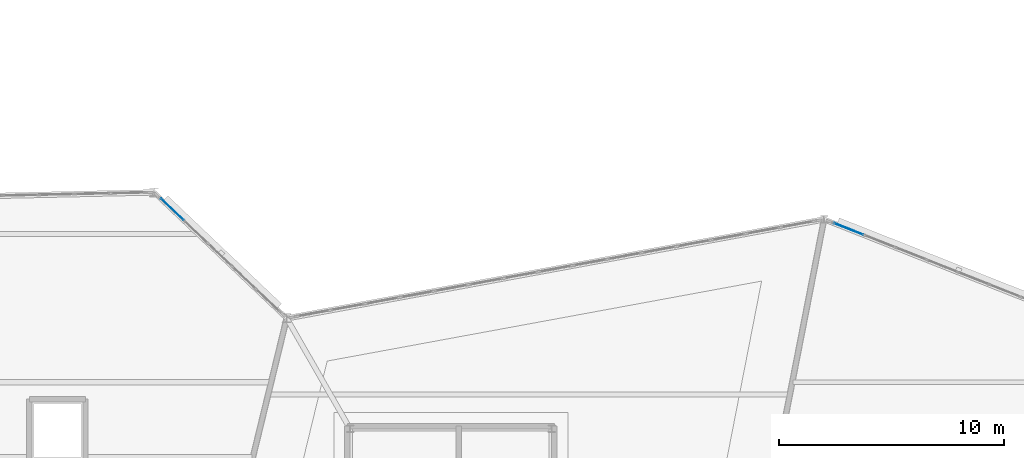
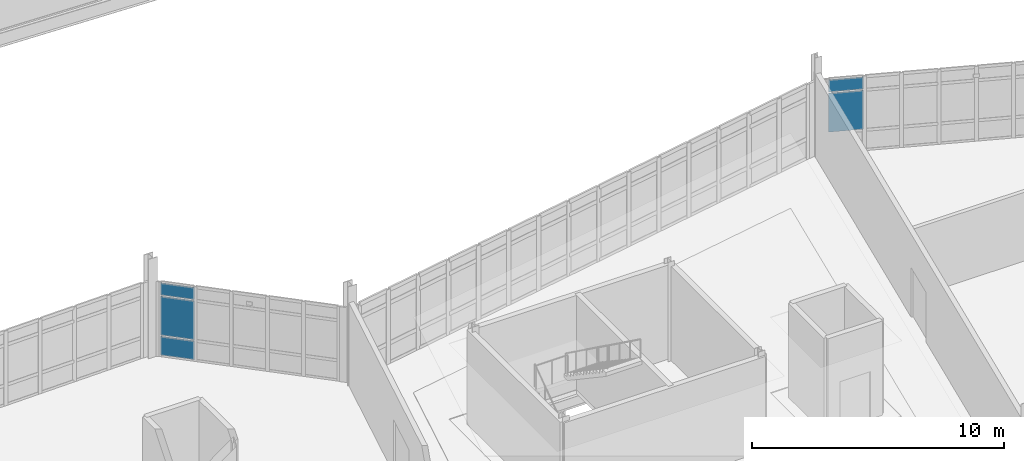
# One storey, part 91 of 134: 5 plates, 2 elements without a shape of their own.
"""IFC4 building model written with IfcOpenShell, lengths in metres."""

from ifc_helpers import new_model, si_unit, direction, frame, origin, origin_2d, place, context, subcontext, project, spatial, rectangle, extrude, material, layer, layer_set, type_object, element, aggregate, save


model = new_model("IFC4")

# Units and contexts
model_context = context("Model", 3, precision=1e-05, world=origin(), true_north=direction((0.0, 1.0)))
body_context = subcontext(model_context, "Body", "Model", "MODEL_VIEW")
ifc_project = project(units=[si_unit("LENGTHUNIT", "METRE"), si_unit("AREAUNIT", "SQUARE_METRE"), si_unit("VOLUMEUNIT", "CUBIC_METRE"), si_unit("PLANEANGLEUNIT", "RADIAN"), si_unit("MASSUNIT", "GRAM", prefix="KILO")], contexts=[model_context])

# Site, building, storey
site_placement = place(None, origin())
site = spatial("IfcSite", under=ifc_project, at=site_placement, CompositionType="ELEMENT")
building_placement = place(site_placement, origin())
building = spatial("IfcBuilding", under=site, at=building_placement, Name="Tameran Prism Museum", CompositionType="ELEMENT")
storey_placement = place(building_placement, frame((0.0, 0.0, 5.39990234375)))
storey = spatial("IfcBuildingStorey", under=building, at=storey_placement, Name="L01", CompositionType="ELEMENT", Elevation=5.39990234375)

# Curtain wall, plates
ifc_material_1 = material(Name="Anodised Aluminium 6063-T6 and Cyclone Solar Glass", Category="aluminium")
curtain_wall_type_1 = type_object("IfcCurtainWallType", Name="CW-FAC-738x362", PredefinedType="USERDEFINED", material=ifc_material_1)
curtain_wall_1_placement = place(storey_placement, origin())
curtain_wall_1 = element("IfcCurtainWall", 1, at=curtain_wall_1_placement, inside=storey, type_object=curtain_wall_type_1, Name="Unitised Curtain Wall CW-067", ObjectType="UNITISED CURTAIN WALL", PredefinedType="USERDEFINED")
ifc_material_2 = material(Name="Cyclone Laminated Solar Glass", Category="glass")
ifc_layer = layer(ifc_material_2, 0.031982421875)
ifc_layer_set = layer_set([ifc_layer])
plate_type = type_object("IfcPlateType", Name="CW-PNL-G32", PredefinedType="CURTAIN_PANEL", material=ifc_layer_set)
plate_1_placement = place(storey_placement, frame((96.6005859375, 47.840087890625, 0.06494140625), z_axis=(0.0, 0.0, 1.0), x_axis=(0.725307438491, -0.688425100987, 0.0)))
plate_1 = element("IfcPlate", 2, at=plate_1_placement, type_object=plate_type, Name="CW-067 panel 1.1", PredefinedType="CURTAIN_PANEL", context=body_context, shape_type="SweptSolid", body=[
    extrude(rectangle(XDim=1.37744140625, YDim=0.031982421875, at=origin_2d()), origin(), (0.0, 0.0, 1.0), 0.902587890625),
])
plate_2_placement = place(storey_placement, frame((96.6005859375, 47.840087890625, 1.03271484375), z_axis=(0.0, 0.0, 1.0), x_axis=(0.725307438491, -0.688425100987, 0.0)))
plate_2 = element("IfcPlate", 3, at=plate_2_placement, type_object=plate_type, Name="CW-067 panel 1.2", PredefinedType="CURTAIN_PANEL", context=body_context, shape_type="SweptSolid", body=[
    extrude(rectangle(XDim=1.37744140625, YDim=0.031982421875, at=origin_2d()), origin(), (0.0, 0.0, 1.0), 1.875),
])
plate_3_placement = place(storey_placement, frame((96.6005859375, 47.840087890625, 2.97265625), z_axis=(0.0, 0.0, 1.0), x_axis=(0.725307438491, -0.688425100987, 0.0)))
plate_3 = element("IfcPlate", 4, at=plate_3_placement, type_object=plate_type, Name="CW-067 panel 1.3", PredefinedType="CURTAIN_PANEL", context=body_context, shape_type="SweptSolid", body=[
    extrude(rectangle(XDim=1.37744140625, YDim=0.031982421875, at=origin_2d()), origin(), (0.0, 0.0, 1.0), 0.58251953125),
])
aggregate(curtain_wall_1, [plate_1, plate_2, plate_3])

ifc_material_3 = material(Name="Anodised Aluminium 6063-T6 and Cyclone Solar Glass", Category="aluminium")
curtain_wall_type_2 = type_object("IfcCurtainWallType", Name="CW-FAC-1197x362", PredefinedType="USERDEFINED", material=ifc_material_3)
curtain_wall_2_placement = place(storey_placement, origin())
curtain_wall_2 = element("IfcCurtainWall", 5, at=curtain_wall_2_placement, inside=storey, type_object=curtain_wall_type_2, Name="Unitised Curtain Wall CW-075", ObjectType="UNITISED CURTAIN WALL", PredefinedType="USERDEFINED")
plate_4_placement = place(storey_placement, frame((126.694091796875, 46.96826171875, 1.03271484375), z_axis=(0.0, 0.0, 1.0), x_axis=(0.930080883146, -0.367354802346, 0.0)))
plate_4 = element("IfcPlate", 6, at=plate_4_placement, type_object=plate_type, Name="CW-075 panel 1.2", PredefinedType="CURTAIN_PANEL", context=body_context, shape_type="SweptSolid", body=[
    extrude(rectangle(XDim=1.39892578125, YDim=0.031982421875, at=origin_2d()), origin(), (0.0, 0.0, 1.0), 1.875),
])
plate_5_placement = place(storey_placement, frame((126.694091796875, 46.96826171875, 2.97265625), z_axis=(0.0, 0.0, 1.0), x_axis=(0.930080883146, -0.367354802346, 0.0)))
plate_5 = element("IfcPlate", 7, at=plate_5_placement, type_object=plate_type, Name="CW-075 panel 1.3", PredefinedType="CURTAIN_PANEL", context=body_context, shape_type="SweptSolid", body=[
    extrude(rectangle(XDim=1.39892578125, YDim=0.031982421875, at=origin_2d()), origin(), (0.0, 0.0, 1.0), 0.58251953125),
])
aggregate(curtain_wall_2, [plate_4, plate_5])

save(model, "model.ifc")
